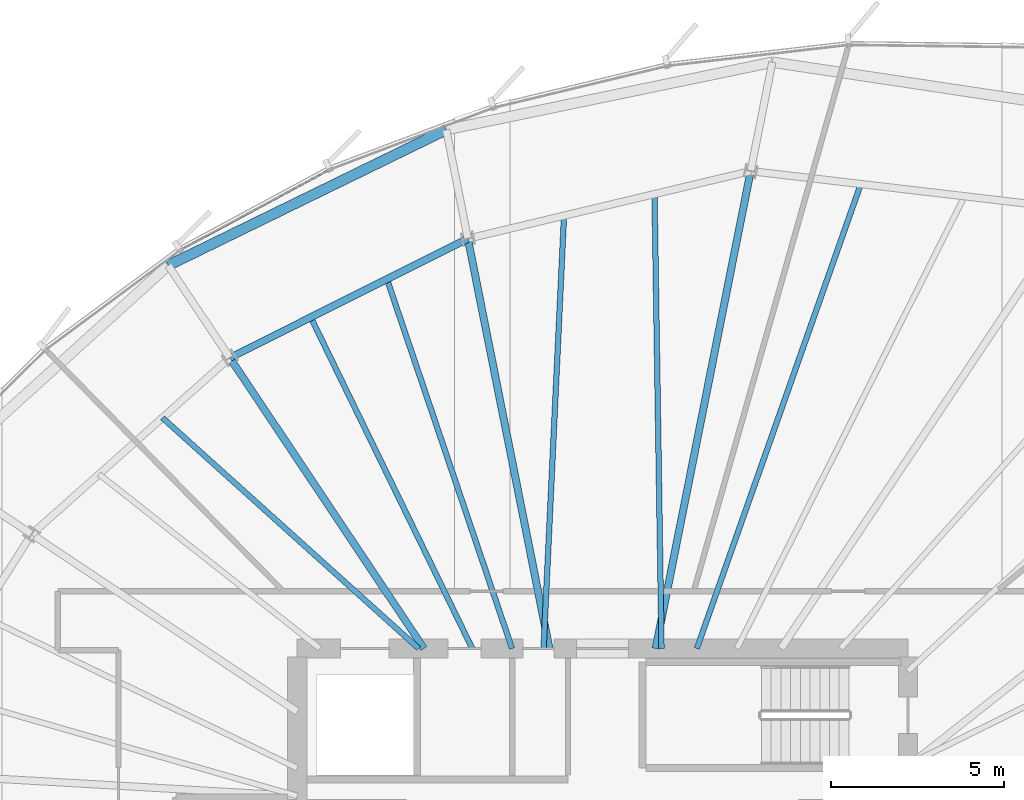
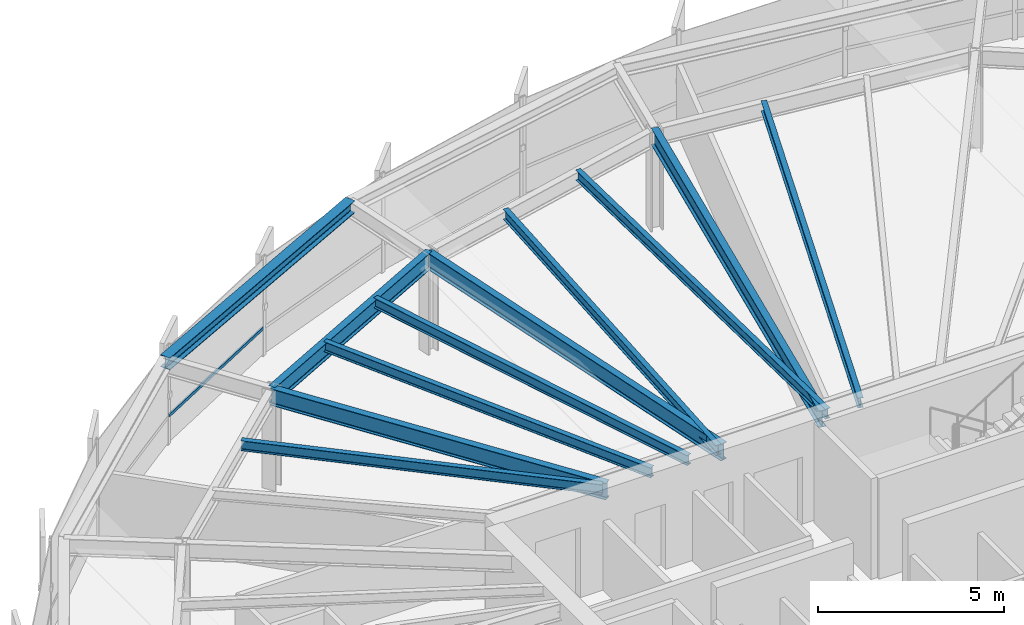
# One storey, part 23 of 36: 11 beams, 1 member, 1 element without a shape of its own.
"""IFC4 building model written with IfcOpenShell, lengths in metres."""

from ifc_helpers import new_model, si_unit, direction, frame, origin, origin_2d, place, context, subcontext, project, spatial, hollow_rectangle, i_section, extrude, source, transform, mapped, material, layer, layer_set, material_profile, profile_set, type_object, element, aggregate, save


model = new_model("IFC4")

# Units and contexts
model_context = context("Model", 3, precision=1e-05, world=origin(), true_north=direction((0.0, 1.0)))
body_context = subcontext(model_context, "Body", "Model", "MODEL_VIEW")
ifc_project = project(units=[si_unit("LENGTHUNIT", "METRE"), si_unit("AREAUNIT", "SQUARE_METRE"), si_unit("VOLUMEUNIT", "CUBIC_METRE"), si_unit("PLANEANGLEUNIT", "RADIAN"), si_unit("MASSUNIT", "GRAM", prefix="KILO"), si_unit("THERMODYNAMICTEMPERATUREUNIT", "KELVIN")], contexts=[model_context])

# Site, building, storey
site_placement = place(None, origin())
site = spatial("IfcSite", under=ifc_project, at=site_placement, CompositionType="ELEMENT")
building_placement = place(site_placement, origin())
building = spatial("IfcBuilding", under=site, at=building_placement, Name="Kethvar Cultural Tower", CompositionType="ELEMENT")
storey_placement = place(building_placement, frame((0.0, 0.0, 164.300048828125)))
storey = spatial("IfcBuildingStorey", under=building, at=storey_placement, Name="L42", CompositionType="ELEMENT", Elevation=164.300048828125)

# Beams
ifc_material_1 = material(Name="Steel S355J2", Category="steel")
ifc_material_profile_1 = material_profile(ifc_material_1, i_section(OverallWidth=0.2099609375, OverallDepth=0.550048828125, WebThickness=0.010986328125, FlangeThickness=0.01708984375, FilletRadius=0.02392578125, at=origin_2d()), Name="Steel S355J2 — IPE550")
ifc_profile_set_1 = profile_set([ifc_material_profile_1], Name="Steel S355J2 — IPE550")
beam_type_1 = type_object("IfcBeamType", Name="BM-IPE550", PredefinedType="BEAM", material=ifc_profile_set_1)
shared_shape_1 = source(origin(), body_context, "Body", "SweptSolid", [
    extrude(i_section(OverallWidth=0.2099609375, OverallDepth=0.550048828125, WebThickness=0.010986328125, FlangeThickness=0.01708984375, FilletRadius=0.02392578125, at=origin_2d()), origin(), (0.0, 0.0, 1.0), 14.02880859375),
])
beam_1_placement = place(storey_placement, frame((48.33154296875, 35.5, 3.02294921875), z_axis=(0.195101986683, 0.980782960085, 0.0), x_axis=(-0.980782960085, 0.195101986683, 0.0)))
element("IfcBeam", 1, at=beam_1_placement, inside=storey, type_object=beam_type_1, Name="L42 Primary Radial Beam RB-04", PredefinedType="BEAM", context=body_context, shape_type="MappedRepresentation", body=[
    mapped(shared_shape_1, transform((0.0, 0.0, 0.0), scale=1.0)),
])
shared_shape_2 = source(origin(), body_context, "Body", "SweptSolid", [
    extrude(i_section(OverallWidth=0.2099609375, OverallDepth=0.550048828125, WebThickness=0.010986328125, FlangeThickness=0.01708984375, FilletRadius=0.02392578125, at=origin_2d()), origin(), (0.0, 0.0, 1.0), 12.042724609375),
])
beam_2_placement = place(storey_placement, frame((45.268310546875, 35.5, 3.02294921875), z_axis=(-0.195086784047, 0.980785984142, 0.0), x_axis=(-0.980785984142, -0.195086784047, 0.0)))
element("IfcBeam", 2, at=beam_2_placement, inside=storey, type_object=beam_type_1, Name="L42 Primary Radial Beam RB-05", PredefinedType="BEAM", context=body_context, shape_type="MappedRepresentation", body=[
    mapped(shared_shape_2, transform((0.0, 0.0, 0.0), scale=1.0)),
])
shared_shape_3 = source(origin(), body_context, "Body", "SweptSolid", [
    extrude(i_section(OverallWidth=0.2099609375, OverallDepth=0.550048828125, WebThickness=0.010986328125, FlangeThickness=0.01708984375, FilletRadius=0.02392578125, at=origin_2d()), origin(), (0.0, 0.0, 1.0), 10.0751953125),
])
beam_3_placement = place(storey_placement, frame((41.655029296875, 35.5, 3.02294921875), z_axis=(-0.555566654614, 0.831472003305, 0.0), x_axis=(-0.831472003305, -0.555566654614, 0.0)))
element("IfcBeam", 3, at=beam_3_placement, inside=storey, type_object=beam_type_1, Name="L42 Primary Radial Beam RB-06", PredefinedType="BEAM", context=body_context, shape_type="MappedRepresentation", body=[
    mapped(shared_shape_3, transform((0.0, 0.0, 0.0), scale=1.0)),
])
ifc_material_profile_2 = material_profile(ifc_material_1, i_section(OverallWidth=0.159912109375, OverallDepth=0.330078125, WebThickness=0.007568359375, FlangeThickness=0.011474609375, FilletRadius=0.01806640625, at=origin_2d()), Name="Steel S355J2 — IPE330")
ifc_profile_set_2 = profile_set([ifc_material_profile_2], Name="Steel S355J2 — IPE330")
beam_type_2 = type_object("IfcBeamType", Name="BM-J330", PredefinedType="JOIST", material=ifc_profile_set_2)
shared_shape_4 = source(origin(), body_context, "Body", "SweptSolid", [
    extrude(i_section(OverallWidth=0.159912109375, OverallDepth=0.330078125, WebThickness=0.007568359375, FlangeThickness=0.011474609375, FilletRadius=0.01806640625, at=origin_2d()), origin(), (0.0, 0.0, 1.0), 14.1953125),
])
beam_4_placement = place(storey_placement, frame((49.517822265625, 35.5, 3.133056640625), z_axis=(0.332865098769, 0.942974456717, 0.0), x_axis=(-0.942974456717, 0.332865098769, 0.0)))
element("IfcBeam", 4, at=beam_4_placement, inside=storey, type_object=beam_type_2, Name="L42 Composite Floor Joist J-03B", PredefinedType="JOIST", context=body_context, shape_type="MappedRepresentation", body=[
    mapped(shared_shape_4, transform((0.0, 0.0, 0.0), scale=1.0)),
])
shared_shape_5 = source(origin(), body_context, "Body", "SweptSolid", [
    extrude(i_section(OverallWidth=0.159912109375, OverallDepth=0.330078125, WebThickness=0.007568359375, FlangeThickness=0.011474609375, FilletRadius=0.01806640625, at=origin_2d()), origin(), (0.0, 0.0, 1.0), 13.098388671875),
])
beam_5_placement = place(storey_placement, frame((48.5, 35.5, 3.133056640625), z_axis=(-0.015451599057, 0.999880616917, 0.0), x_axis=(-0.999880616917, -0.015451599057, 0.0)))
element("IfcBeam", 5, at=beam_5_placement, inside=storey, type_object=beam_type_2, Name="L42 Composite Floor Joist J-04A", PredefinedType="JOIST", context=body_context, shape_type="MappedRepresentation", body=[
    mapped(shared_shape_5, transform((0.0, 0.0, 0.0), scale=1.0)),
])
shared_shape_6 = source(origin(), body_context, "Body", "SweptSolid", [
    extrude(i_section(OverallWidth=0.159912109375, OverallDepth=0.330078125, WebThickness=0.007568359375, FlangeThickness=0.011474609375, FilletRadius=0.01806640625, at=origin_2d()), origin(), (0.0, 0.0, 1.0), 12.487548828125),
])
beam_6_placement = place(storey_placement, frame((45.10009765625, 35.5, 3.133056640625), z_axis=(0.047214958818, 0.998884751943, 0.0), x_axis=(-0.998884751943, 0.047214958818, 0.0)))
element("IfcBeam", 6, at=beam_6_placement, inside=storey, type_object=beam_type_2, Name="L42 Composite Floor Joist J-04B", PredefinedType="JOIST", context=body_context, shape_type="MappedRepresentation", body=[
    mapped(shared_shape_6, transform((0.0, 0.0, 0.0), scale=1.0)),
])
shared_shape_7 = source(origin(), body_context, "Body", "SweptSolid", [
    extrude(i_section(OverallWidth=0.2099609375, OverallDepth=0.550048828125, WebThickness=0.010986328125, FlangeThickness=0.01708984375, FilletRadius=0.02392578125, at=origin_2d()), origin(), (0.0, 0.0, 1.0), 7.672607421875),
])
beam_7_placement = place(storey_placement, frame((42.9189453125, 47.311279296875, 3.02294921875), z_axis=(-0.894248932057, -0.447569935892, 0.0), x_axis=(0.447569935892, -0.894248932057, 0.0)))
element("IfcBeam", 7, at=beam_7_placement, inside=storey, type_object=beam_type_1, Name="L42 Column Ring Tie Beam CR-05", PredefinedType="BEAM", context=body_context, shape_type="MappedRepresentation", body=[
    mapped(shared_shape_7, transform((0.0, 0.0, 0.0), scale=1.0)),
])
shared_shape_8 = source(origin(), body_context, "Body", "SweptSolid", [
    extrude(i_section(OverallWidth=0.159912109375, OverallDepth=0.330078125, WebThickness=0.007568359375, FlangeThickness=0.011474609375, FilletRadius=0.01806640625, at=origin_2d()), origin(), (0.0, 0.0, 1.0), 11.23779296875),
])
beam_8_placement = place(storey_placement, frame((44.191650390625, 35.5, 3.133056640625), z_axis=(-0.32083186626, 0.94713616423, 0.0), x_axis=(-0.94713616423, -0.32083186626, 0.0)))
element("IfcBeam", 8, at=beam_8_placement, inside=storey, type_object=beam_type_2, Name="L42 Composite Floor Joist J-05A", PredefinedType="JOIST", context=body_context, shape_type="MappedRepresentation", body=[
    mapped(shared_shape_8, transform((0.0, 0.0, 0.0), scale=1.0)),
])
shared_shape_9 = source(origin(), body_context, "Body", "SweptSolid", [
    extrude(i_section(OverallWidth=0.159912109375, OverallDepth=0.330078125, WebThickness=0.007568359375, FlangeThickness=0.011474609375, FilletRadius=0.01806640625, at=origin_2d()), origin(), (0.0, 0.0, 1.0), 10.619384765625),
])
beam_9_placement = place(storey_placement, frame((43.044921875, 35.5, 3.133056640625), z_axis=(-0.438308125028, 0.898824781331, 0.0), x_axis=(-0.898824781331, -0.438308125028, 0.0)))
element("IfcBeam", 9, at=beam_9_placement, inside=storey, type_object=beam_type_2, Name="L42 Composite Floor Joist J-05B", PredefinedType="JOIST", context=body_context, shape_type="MappedRepresentation", body=[
    mapped(shared_shape_9, transform((0.0, 0.0, 0.0), scale=1.0)),
])
shared_shape_10 = source(origin(), body_context, "Body", "SweptSolid", [
    extrude(i_section(OverallWidth=0.159912109375, OverallDepth=0.330078125, WebThickness=0.007568359375, FlangeThickness=0.011474609375, FilletRadius=0.01806640625, at=origin_2d()), origin(), (0.0, 0.0, 1.0), 9.93701171875),
])
beam_10_placement = place(storey_placement, frame((41.5, 35.5, 3.133056640625), z_axis=(-0.743138974967, 0.669137103952, 0.0), x_axis=(-0.669137103952, -0.743138974967, 0.0)))
element("IfcBeam", 10, at=beam_10_placement, inside=storey, type_object=beam_type_2, Name="L42 Composite Floor Joist J-06A", PredefinedType="JOIST", context=body_context, shape_type="MappedRepresentation", body=[
    mapped(shared_shape_10, transform((0.0, 0.0, 0.0), scale=1.0)),
])
ifc_material_profile_3 = material_profile(ifc_material_1, i_section(OverallWidth=0.300048828125, OverallDepth=0.39990234375, WebThickness=0.013427734375, FlangeThickness=0.02392578125, FilletRadius=0.027099609375, at=origin_2d()), Name="Steel S355J2 — HEB400")
ifc_profile_set_3 = profile_set([ifc_material_profile_3], Name="Steel S355J2 — HEB400")
beam_type_3 = type_object("IfcBeamType", Name="BM-SP400", PredefinedType="SPANDREL", material=ifc_profile_set_3)
shared_shape_11 = source(origin(), body_context, "Body", "SweptSolid", [
    extrude(i_section(OverallWidth=0.300048828125, OverallDepth=0.39990234375, WebThickness=0.013427734375, FlangeThickness=0.02392578125, FilletRadius=0.027099609375, at=origin_2d()), origin(), (0.0, 0.0, 1.0), 8.91845703125),
])
beam_11_placement = place(storey_placement, frame((42.294677734375, 50.44970703125, 3.097900390625), z_axis=(-0.898683713341, -0.438597290662, 0.0), x_axis=(0.438597290662, -0.898683713341, 0.0)))
element("IfcBeam", 11, at=beam_11_placement, inside=storey, type_object=beam_type_3, Name="L42 Perimeter Spandrel Beam SP-05", PredefinedType="SPANDREL", context=body_context, shape_type="MappedRepresentation", body=[
    mapped(shared_shape_11, transform((0.0, 0.0, 0.0), scale=1.0)),
])

# Curtain wall, member
ifc_material_2 = material(Name="Aluminium 6063-T6", Category="aluminium")
ifc_layer = layer(ifc_material_2, 0.179931640625, Name="Aluminium 6063-T6", Category="aluminium")
ifc_layer_set = layer_set([ifc_layer], Name="Aluminium 6063-T6 (180 mm)")
curtain_wall_type = type_object("IfcCurtainWallType", Name="CW-SYS-04-Z34", PredefinedType="NOTDEFINED", material=ifc_layer_set)
curtain_wall_placement = place(storey_placement, origin())
curtain_wall = element("IfcCurtainWall", 12, at=curtain_wall_placement, inside=storey, type_object=curtain_wall_type, Name="L42 Curtain Wall Run 02", PredefinedType="NOTDEFINED")
ifc_material_profile_4 = material_profile(ifc_material_2, hollow_rectangle(XDim=0.050048828125, YDim=0.10009765625, WallThickness=0.00390625, at=origin_2d()), Name="Aluminium 6063-T6 — RHS100x50x4")
ifc_profile_set_4 = profile_set([ifc_material_profile_4], Name="Aluminium 6063-T6 — RHS100x50x4")
member_type = type_object("IfcMemberType", Name="CW-SYS-04-Z34-TRN", PredefinedType="USERDEFINED", material=ifc_profile_set_4)
shared_shape_12 = source(origin(), body_context, "Body", "SweptSolid", [
    extrude(hollow_rectangle(XDim=0.050048828125, YDim=0.10009765625, WallThickness=0.00390625, at=origin_2d()), origin(), (0.0, 0.0, 1.0), 4.8212890625),
])
member_placement = place(storey_placement, frame((38.90234375, 49.2861328125, 0.949951171875), z_axis=(-0.880078939613, -0.474827400273, 0.0), x_axis=(0.474827400273, -0.880078939613, 0.0)))
member = element("IfcMember", 13, at=member_placement, type_object=member_type, Name="CW-L42-R02 Transom 3", ObjectType="TRANSOM", PredefinedType="USERDEFINED", context=body_context, shape_type="MappedRepresentation", body=[
    mapped(shared_shape_12, transform((0.0, 0.0, 0.0), scale=1.0)),
])
aggregate(curtain_wall, [member])

save(model, "model.ifc")
